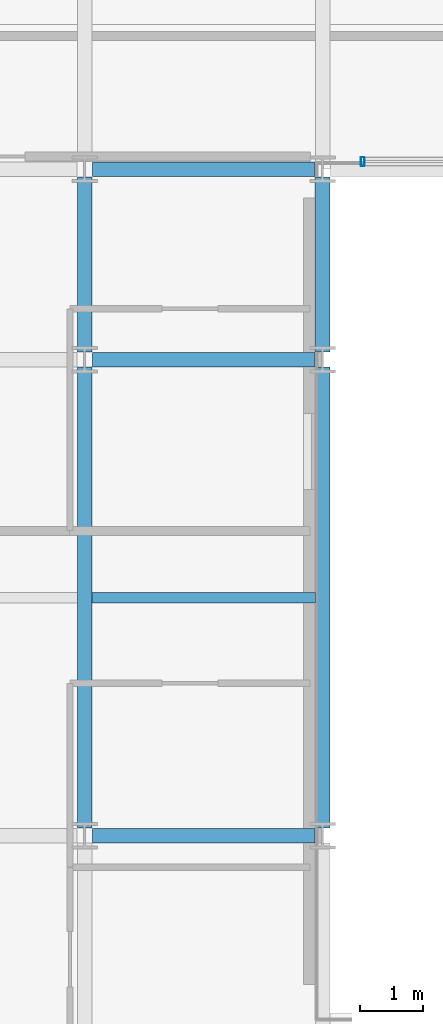
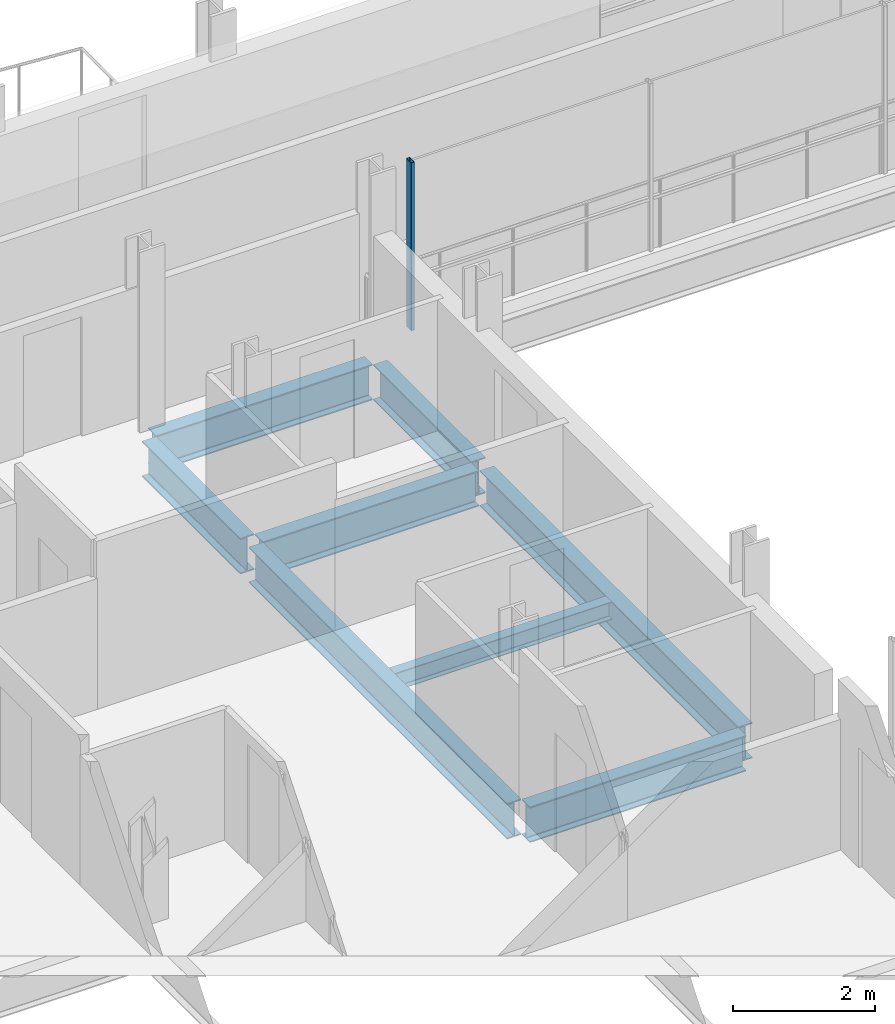
# One storey, part 8 of 38: 8 beams, 1 member, 1 element without a shape of its own.
"""IFC4 building model written with IfcOpenShell, lengths in metres."""

from ifc_helpers import new_model, si_unit, direction, frame, origin, origin_2d, place, context, subcontext, project, spatial, hollow_rectangle, i_section, extrude, material, layer, layer_set, material_profile, profile_set, type_object, element, aggregate, save


model = new_model("IFC4")

# Units and contexts
model_context = context("Model", 3, precision=1e-05, world=origin(), true_north=direction((0.0, 1.0)))
body_context = subcontext(model_context, "Body", "Model", "MODEL_VIEW")
ifc_project = project(units=[si_unit("LENGTHUNIT", "METRE"), si_unit("AREAUNIT", "SQUARE_METRE"), si_unit("VOLUMEUNIT", "CUBIC_METRE"), si_unit("PLANEANGLEUNIT", "RADIAN"), si_unit("MASSUNIT", "GRAM", prefix="KILO")], contexts=[model_context])

# Site, building, storey
site_placement = place(None, origin())
site = spatial("IfcSite", under=ifc_project, at=site_placement, CompositionType="ELEMENT")
building_placement = place(site_placement, origin())
building = spatial("IfcBuilding", under=site, at=building_placement, Name="Brevholm Reach", CompositionType="ELEMENT")
storey_placement = place(building_placement, frame((0.0, 0.0, 128.300048828125)))
storey = spatial("IfcBuildingStorey", under=building, at=storey_placement, Name="L38", CompositionType="ELEMENT", Elevation=128.300048828125)

# Beams
ifc_material_1 = material(Name="Structural Steel S355J2", Category="steel")
ifc_material_profile_1 = material_profile(ifc_material_1, i_section(OverallWidth=0.1650390625, OverallDepth=0.303466796875, WebThickness=0.006103515625, FlangeThickness=0.01025390625, FilletRadius=0.0087890625, at=origin_2d()), Name="UKB 305x165x40")
ifc_profile_set_1 = profile_set([ifc_material_profile_1], Name="Structural Steel S355J2")
beam_type_1 = type_object("IfcBeamType", Name="BM-B305", PredefinedType="BEAM", material=ifc_profile_set_1)
beam_1_placement = place(storey_placement, frame((18.114501953125, 19.75, -0.371826171875), z_axis=(1.0, 0.0, 0.0), x_axis=(0.0, 1.0, 0.0)))
element("IfcBeam", 1, at=beam_1_placement, inside=storey, type_object=beam_type_1, Name="L38 Composite Secondary Floor Beam", PredefinedType="BEAM", context=body_context, shape_type="SweptSolid", body=[
    extrude(i_section(OverallWidth=0.1650390625, OverallDepth=0.303466796875, WebThickness=0.006103515625, FlangeThickness=0.01025390625, FilletRadius=0.0087890625, at=origin_2d()), origin(), (0.0, 0.0, 1.0), 3.52099609375),
])
ifc_material_2 = material(Name="Structural Steel S355J2", Category="steel")
ifc_material_profile_2 = material_profile(ifc_material_2, i_section(OverallWidth=0.22900390625, OverallDepth=0.6123046875, WebThickness=0.011962890625, FlangeThickness=0.01953125, FilletRadius=0.0126953125, at=origin_2d()), Name="UKB 610x229x125")
ifc_profile_set_2 = profile_set([ifc_material_profile_2], Name="Structural Steel S355J2")
beam_type_2 = type_object("IfcBeamType", Name="BM-SP610", PredefinedType="SPANDREL", material=ifc_profile_set_2)
for number, where, z_axis, x_axis, name in (
    (2, (18.1201171875, 16.0, -0.526123046875), (1.0, 0.0, 0.0), (0.0, 1.0, 0.0), "L38 SP-01 Framing Beam"),
    (3, (18.1201171875, 23.5, -0.526123046875), (1.0, 0.0, 0.0), (0.0, 1.0, 0.0), "L38 SP-01 Framing Beam"),
    (4, (18.1201171875, 26.5, -0.526123046875), (1.0, 0.0, 0.0), (0.0, 1.0, 0.0), "L38 SP-01 Framing Beam"),
):
    element("IfcBeam", number, at=place(storey_placement, frame(where, z_axis=z_axis, x_axis=x_axis)), inside=storey, type_object=beam_type_2, Name=name, PredefinedType="SPANDREL", context=body_context, shape_type="SweptSolid", body=[
        extrude(i_section(OverallWidth=0.22900390625, OverallDepth=0.6123046875, WebThickness=0.011962890625, FlangeThickness=0.01953125, FilletRadius=0.0126953125, at=origin_2d()), origin(), (0.0, 0.0, 1.0), 3.509765625),
    ])
beam_2_placement = place(storey_placement, frame((18.0, 16.1201171875, -0.526123046875), z_axis=(0.0, 1.0, 0.0), x_axis=(-1.0, 0.0, 0.0)))
element("IfcBeam", 5, at=beam_2_placement, inside=storey, type_object=beam_type_2, Name="L38 SP-01 Framing Beam", PredefinedType="SPANDREL", context=body_context, shape_type="SweptSolid", body=[
    extrude(i_section(OverallWidth=0.22900390625, OverallDepth=0.6123046875, WebThickness=0.011962890625, FlangeThickness=0.01953125, FilletRadius=0.0126953125, at=origin_2d()), origin(), (0.0, 0.0, 1.0), 7.259765625),
])
beam_3_placement = place(storey_placement, frame((18.0, 23.6201171875, -0.526123046875), z_axis=(0.0, 1.0, 0.0), x_axis=(-1.0, 0.0, 0.0)))
element("IfcBeam", 6, at=beam_3_placement, inside=storey, type_object=beam_type_2, Name="L38 SP-01 Framing Beam", PredefinedType="SPANDREL", context=body_context, shape_type="SweptSolid", body=[
    extrude(i_section(OverallWidth=0.22900390625, OverallDepth=0.6123046875, WebThickness=0.011962890625, FlangeThickness=0.01953125, FilletRadius=0.0126953125, at=origin_2d()), origin(), (0.0, 0.0, 1.0), 2.759765625),
])
beam_4_placement = place(storey_placement, frame((21.75, 16.1201171875, -0.526123046875), z_axis=(0.0, 1.0, 0.0), x_axis=(-1.0, 0.0, 0.0)))
element("IfcBeam", 7, at=beam_4_placement, inside=storey, type_object=beam_type_2, Name="L38 SP-01 Framing Beam", PredefinedType="SPANDREL", context=body_context, shape_type="SweptSolid", body=[
    extrude(i_section(OverallWidth=0.22900390625, OverallDepth=0.6123046875, WebThickness=0.011962890625, FlangeThickness=0.01953125, FilletRadius=0.0126953125, at=origin_2d()), origin(), (0.0, 0.0, 1.0), 7.259765625),
])
beam_5_placement = place(storey_placement, frame((21.75, 23.6201171875, -0.526123046875), z_axis=(0.0, 1.0, 0.0), x_axis=(-1.0, 0.0, 0.0)))
element("IfcBeam", 8, at=beam_5_placement, inside=storey, type_object=beam_type_2, Name="L38 SP-01 Framing Beam", PredefinedType="SPANDREL", context=body_context, shape_type="SweptSolid", body=[
    extrude(i_section(OverallWidth=0.22900390625, OverallDepth=0.6123046875, WebThickness=0.011962890625, FlangeThickness=0.01953125, FilletRadius=0.0126953125, at=origin_2d()), origin(), (0.0, 0.0, 1.0), 2.759765625),
])

# Curtain wall, member
ifc_material_3 = material(Name="Dark Anodised Aluminium 6063-T6 and Solar-Control Glass", Category="aluminium")
ifc_layer = layer(ifc_material_3, 0.139892578125)
ifc_layer_set = layer_set([ifc_layer], Name="Dark Anodised Aluminium 6063-T6 and Solar-Control Glass")
curtain_wall_type = type_object("IfcCurtainWallType", Name="CW-02", PredefinedType="NOTDEFINED", material=ifc_layer_set)
curtain_wall_placement = place(storey_placement, origin())
curtain_wall = element("IfcCurtainWall", 9, at=curtain_wall_placement, inside=storey, type_object=curtain_wall_type, Name="L38 Curtain Wall CW-02", PredefinedType="NOTDEFINED")
ifc_material_4 = material(Name="Dark Anodised Aluminium 6063-T6", Category="aluminium")
ifc_material_profile_3 = material_profile(ifc_material_4, hollow_rectangle(XDim=0.06005859375, YDim=0.139892578125, WallThickness=0.0048828125, InnerFilletRadius=0.0048828125, OuterFilletRadius=0.010009765625, at=origin_2d()), Name="RHS 140x60x5")
ifc_profile_set_3 = profile_set([ifc_material_profile_3], Name="Dark Anodised Aluminium 6063-T6")
member_type = type_object("IfcMemberType", Name="CWM-140", PredefinedType="MULLION", material=ifc_profile_set_3)
member_placement = place(storey_placement, frame((22.3798828125, 26.6201171875, 0.0), z_axis=(0.0, 0.0, 1.0), x_axis=(-1.0, 0.0, 0.0)))
member = element("IfcMember", 10, at=member_placement, type_object=member_type, Name="CM-140 Mullion 5", PredefinedType="MULLION", context=body_context, shape_type="SweptSolid", body=[
    extrude(hollow_rectangle(XDim=0.06005859375, YDim=0.139892578125, WallThickness=0.0048828125, InnerFilletRadius=0.0048828125, OuterFilletRadius=0.010009765625, at=origin_2d()), origin(), (0.0, 0.0, 1.0), 2.8798828125),
])
aggregate(curtain_wall, [member])

save(model, "model.ifc")
